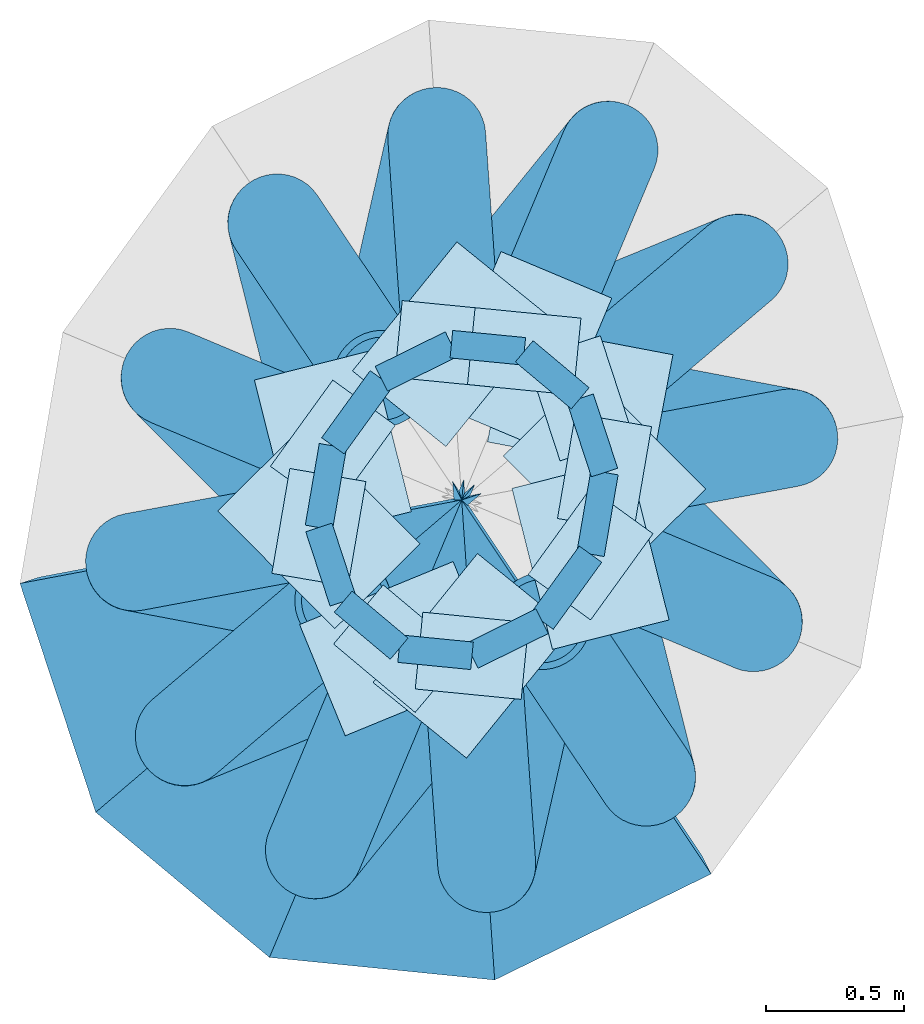
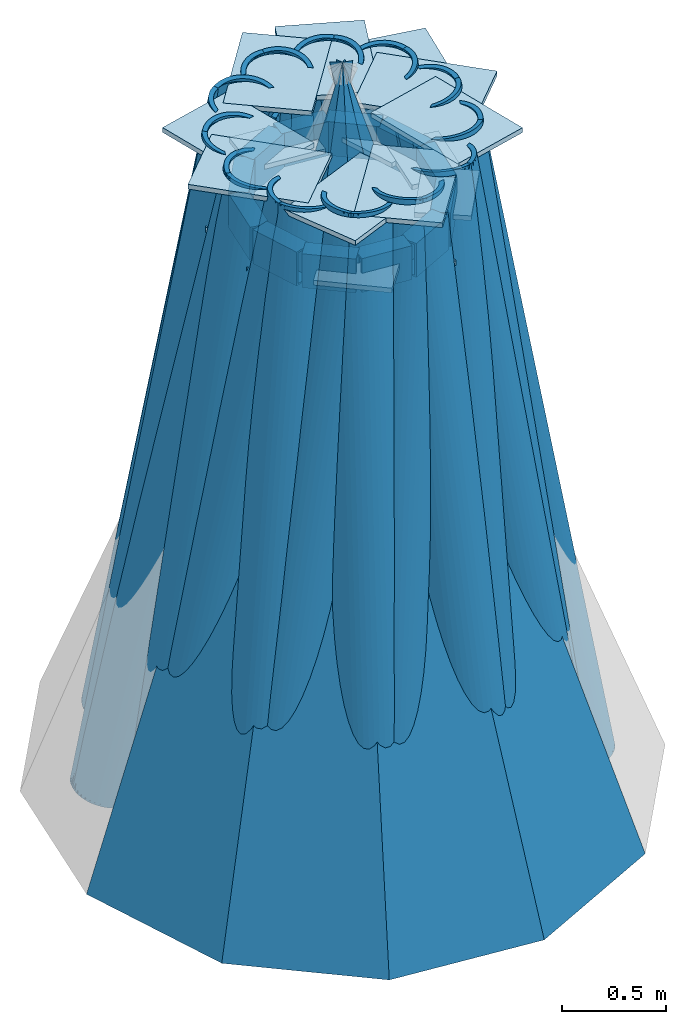
# One storey, part 1 of 2: 36 members, 18 plates, 4 roofs.
"""IFC4 building model written with IfcOpenShell, lengths in metres."""

from ifc_helpers import new_model, si_unit, direction, frame, origin, origin_2d, place, context, subcontext, project, spatial, polyline, rectangle, hollow_rectangle, hollow_circle, outline, extrude, material, layer, layer_set, material_profile, profile_set, type_object, element, save


model = new_model("IFC4")

# Units and contexts
model_context = context("Model", 3, precision=1e-05, world=origin(), true_north=direction((0.0, 1.0)))
body_context = subcontext(model_context, "Body", "Model", "MODEL_VIEW")
ifc_project = project(units=[si_unit("LENGTHUNIT", "METRE"), si_unit("AREAUNIT", "SQUARE_METRE"), si_unit("VOLUMEUNIT", "CUBIC_METRE"), si_unit("PLANEANGLEUNIT", "RADIAN"), si_unit("MASSUNIT", "GRAM", prefix="KILO")], contexts=[model_context])

# Site, building, storey
site_placement = place(None, origin())
site = spatial("IfcSite", under=ifc_project, at=site_placement, CompositionType="ELEMENT")
building_placement = place(site_placement, origin())
building = spatial("IfcBuilding", under=site, at=building_placement, Name="Veldorim Arch Residences", CompositionType="ELEMENT")
storey_placement = place(building_placement, frame((0.0, 0.0, 271.840087890625)))
storey = spatial("IfcBuildingStorey", under=building, at=storey_placement, Name="L80", CompositionType="ELEMENT", Elevation=271.840087890625)

# Members
ifc_material_1 = material(Name="Steel S460", Category="steel")
ifc_material_profile_1 = material_profile(ifc_material_1, hollow_circle(Radius=0.177734375, WallThickness=0.02490234375, at=origin_2d()), Name="CHS355.6x25")
ifc_profile_set_1 = profile_set([ifc_material_profile_1], Name="Steel S460")
member_type_1 = type_object("IfcMemberType", Name="Crown Diagrid CHS355.6x25", PredefinedType="STRUT", material=ifc_profile_set_1)
member_1_placement = place(storey_placement, frame((32.534912109375, 25.272216796875, 0.0), z_axis=(-0.080170149224, -0.190705854176, 0.978368041361), x_axis=(0.921854880185, -0.387535262756, 0.0)))
element("IfcMember", 1, at=member_1_placement, inside=storey, type_object=member_type_1, Name="L80 Crown Diagrid tapering rib 01", PredefinedType="STRUT", context=body_context, shape_type="SweptSolid", body=[
    extrude(hollow_circle(Radius=0.177734375, WallThickness=0.02490234375, at=origin_2d()), origin(), (0.0, 0.0, 1.0), 3.84326171875),
])
member_2_placement = place(storey_placement, frame((32.534912109375, 25.272216796875, 0.0), z_axis=(-0.147930766294, -0.182767704431, 0.971963196114), x_axis=(0.777294872086, -0.629136457241, 0.0)))
element("IfcMember", 2, at=member_2_placement, inside=storey, type_object=member_type_1, Name="L80 Crown Diagrid diagrid brace 01", PredefinedType="STRUT", context=body_context, shape_type="SweptSolid", body=[
    extrude(hollow_circle(Radius=0.177734375, WallThickness=0.02490234375, at=origin_2d()), origin(), (0.0, 0.0, 1.0), 3.868408203125),
])
member_3_placement = place(storey_placement, frame((31.9091796875, 25.322265625, 0.0), z_axis=(0.013938729282, -0.19736986074, 0.980229998469), x_axis=(0.997515529388, 0.07044692065, 0.0)))
element("IfcMember", 3, at=member_3_placement, inside=storey, type_object=member_type_1, Name="L80 Crown Diagrid tapering rib 02", PredefinedType="STRUT", context=body_context, shape_type="SweptSolid", body=[
    extrude(hollow_circle(Radius=0.177734375, WallThickness=0.02490234375, at=origin_2d()), origin(), (0.0, 0.0, 1.0), 3.8359375),
])
member_4_placement = place(storey_placement, frame((31.9091796875, 25.322265625, 0.0), z_axis=(-0.051890929295, -0.228206459128, 0.972228956301), x_axis=(0.975109002825, -0.221726030518, 0.0)))
element("IfcMember", 4, at=member_4_placement, inside=storey, type_object=member_type_1, Name="L80 Crown Diagrid diagrid brace 02", PredefinedType="STRUT", context=body_context, shape_type="SweptSolid", body=[
    extrude(hollow_circle(Radius=0.177734375, WallThickness=0.02490234375, at=origin_2d()), origin(), (0.0, 0.0, 1.0), 3.867431640625),
])
member_5_placement = place(storey_placement, frame((31.328369140625, 25.007080078125, 0.0), z_axis=(0.099469827951, -0.148470057905, 0.983901618676), x_axis=(0.830783202197, 0.556596147083, 0.0)))
element("IfcMember", 5, at=member_5_placement, inside=storey, type_object=member_type_1, Name="L80 Crown Diagrid tapering rib 03", PredefinedType="STRUT", context=body_context, shape_type="SweptSolid", body=[
    extrude(hollow_circle(Radius=0.177734375, WallThickness=0.02490234375, at=origin_2d()), origin(), (0.0, 0.0, 1.0), 3.821533203125),
])
member_6_placement = place(storey_placement, frame((31.328369140625, 25.007080078125, 0.0), z_axis=(0.05305190664, -0.210432891334, 0.976167758865), x_axis=(0.969659541803, 0.24445934834, 0.0)))
element("IfcMember", 6, at=member_6_placement, inside=storey, type_object=member_type_1, Name="L80 Crown Diagrid diagrid brace 03", PredefinedType="STRUT", context=body_context, shape_type="SweptSolid", body=[
    extrude(hollow_circle(Radius=0.177734375, WallThickness=0.02490234375, at=origin_2d()), origin(), (0.0, 0.0, 1.0), 3.851806640625),
])
member_7_placement = place(storey_placement, frame((30.93994140625, 24.445556640625, 0.0), z_axis=(0.155396531976, -0.065281903878, 0.985692746689), x_axis=(0.387309949626, 0.921949566365, 0.0)))
element("IfcMember", 7, at=member_7_placement, inside=storey, type_object=member_type_1, Name="L80 Crown Diagrid tapering rib 04", PredefinedType="STRUT", context=body_context, shape_type="SweptSolid", body=[
    extrude(hollow_circle(Radius=0.177734375, WallThickness=0.02490234375, at=origin_2d()), origin(), (0.0, 0.0, 1.0), 3.814697265625),
])
member_8_placement = place(storey_placement, frame((30.93994140625, 24.445556640625, 0.0), z_axis=(0.141225063045, -0.142052056658, 0.979732971154), x_axis=(0.709168072682, 0.705039463213, 0.0)))
element("IfcMember", 8, at=member_8_placement, inside=storey, type_object=member_type_1, Name="L80 Crown Diagrid diagrid brace 04", PredefinedType="STRUT", context=body_context, shape_type="SweptSolid", body=[
    extrude(hollow_circle(Radius=0.177734375, WallThickness=0.02490234375, at=origin_2d()), origin(), (0.0, 0.0, 1.0), 3.837890625),
])
member_9_placement = place(storey_placement, frame((30.810546875, 23.775146484375, 0.0), z_axis=(0.175685150302, 0.03277326622, 0.9839007272), x_axis=(-0.183381967414, 0.983041735649, 0.0)))
element("IfcMember", 9, at=member_9_placement, inside=storey, type_object=member_type_1, Name="L80 Crown Diagrid tapering rib 05", PredefinedType="STRUT", context=body_context, shape_type="SweptSolid", body=[
    extrude(hollow_circle(Radius=0.177734375, WallThickness=0.02490234375, at=origin_2d()), origin(), (0.0, 0.0, 1.0), 3.821533203125),
])
member_10_placement = place(storey_placement, frame((30.810546875, 23.775146484375, 0.0), z_axis=(0.197861205225, -0.03752430443, 0.979511546662), x_axis=(0.186328395197, 0.982487521113, 0.0)))
element("IfcMember", 10, at=member_10_placement, inside=storey, type_object=member_type_1, Name="L80 Crown Diagrid diagrid brace 05", PredefinedType="STRUT", context=body_context, shape_type="SweptSolid", body=[
    extrude(hollow_circle(Radius=0.177734375, WallThickness=0.02490234375, at=origin_2d()), origin(), (0.0, 0.0, 1.0), 3.838623046875),
])
member_11_placement = place(storey_placement, frame((30.99169921875, 23.139892578125, 0.0), z_axis=(0.15078131342, 0.128059097763, 0.980237656389), x_axis=(-0.647340169484, 0.762201223413, 0.0)))
element("IfcMember", 11, at=member_11_placement, inside=storey, type_object=member_type_1, Name="L80 Crown Diagrid tapering rib 06", PredefinedType="STRUT", context=body_context, shape_type="SweptSolid", body=[
    extrude(hollow_circle(Radius=0.177734375, WallThickness=0.02490234375, at=origin_2d()), origin(), (0.0, 0.0, 1.0), 3.835693359375),
])
member_12_placement = place(storey_placement, frame((30.99169921875, 23.139892578125, 0.0), z_axis=(0.202788444077, 0.083243991102, 0.97567785918), x_axis=(-0.379746629917, 0.925090534524, 0.0)))
element("IfcMember", 12, at=member_12_placement, inside=storey, type_object=member_type_1, Name="L80 Crown Diagrid diagrid brace 06", PredefinedType="STRUT", context=body_context, shape_type="SweptSolid", body=[
    extrude(hollow_circle(Radius=0.177734375, WallThickness=0.02490234375, at=origin_2d()), origin(), (0.0, 0.0, 1.0), 3.853759765625),
])
member_13_placement = place(storey_placement, frame((31.465087890625, 22.727783203125, 0.0), z_axis=(0.080170149224, 0.190705854176, 0.978368041361), x_axis=(-0.921854880185, 0.387535262756, 0.0)))
element("IfcMember", 13, at=member_13_placement, inside=storey, type_object=member_type_1, Name="L80 Crown Diagrid tapering rib 07", PredefinedType="STRUT", context=body_context, shape_type="SweptSolid", body=[
    extrude(hollow_circle(Radius=0.177734375, WallThickness=0.02490234375, at=origin_2d()), origin(), (0.0, 0.0, 1.0), 3.84326171875),
])
member_14_placement = place(storey_placement, frame((31.465087890625, 22.727783203125, 0.0), z_axis=(0.147930766294, 0.182767704431, 0.971963196114), x_axis=(-0.777294872086, 0.629136457241, 0.0)))
element("IfcMember", 14, at=member_14_placement, inside=storey, type_object=member_type_1, Name="L80 Crown Diagrid diagrid brace 07", PredefinedType="STRUT", context=body_context, shape_type="SweptSolid", body=[
    extrude(hollow_circle(Radius=0.177734375, WallThickness=0.02490234375, at=origin_2d()), origin(), (0.0, 0.0, 1.0), 3.868408203125),
])
member_15_placement = place(storey_placement, frame((32.0908203125, 22.677734375, 0.0), z_axis=(-0.013938729282, 0.19736986074, 0.980229998469), x_axis=(-0.997515529388, -0.07044692065, 0.0)))
element("IfcMember", 15, at=member_15_placement, inside=storey, type_object=member_type_1, Name="L80 Crown Diagrid tapering rib 08", PredefinedType="STRUT", context=body_context, shape_type="SweptSolid", body=[
    extrude(hollow_circle(Radius=0.177734375, WallThickness=0.02490234375, at=origin_2d()), origin(), (0.0, 0.0, 1.0), 3.8359375),
])
member_16_placement = place(storey_placement, frame((32.0908203125, 22.677734375, 0.0), z_axis=(0.051890929295, 0.228206459128, 0.972228956301), x_axis=(-0.975109002825, 0.221726030518, 0.0)))
element("IfcMember", 16, at=member_16_placement, inside=storey, type_object=member_type_1, Name="L80 Crown Diagrid diagrid brace 08", PredefinedType="STRUT", context=body_context, shape_type="SweptSolid", body=[
    extrude(hollow_circle(Radius=0.177734375, WallThickness=0.02490234375, at=origin_2d()), origin(), (0.0, 0.0, 1.0), 3.867431640625),
])
member_17_placement = place(storey_placement, frame((32.671630859375, 22.992919921875, 0.0), z_axis=(-0.099469827951, 0.148470057905, 0.983901618676), x_axis=(-0.830783202197, -0.556596147083, 0.0)))
element("IfcMember", 17, at=member_17_placement, inside=storey, type_object=member_type_1, Name="L80 Crown Diagrid tapering rib 09", PredefinedType="STRUT", context=body_context, shape_type="SweptSolid", body=[
    extrude(hollow_circle(Radius=0.177734375, WallThickness=0.02490234375, at=origin_2d()), origin(), (0.0, 0.0, 1.0), 3.821533203125),
])
member_18_placement = place(storey_placement, frame((32.671630859375, 22.992919921875, 0.0), z_axis=(-0.05305190664, 0.210432891334, 0.976167758865), x_axis=(-0.969659541803, -0.24445934834, 0.0)))
element("IfcMember", 18, at=member_18_placement, inside=storey, type_object=member_type_1, Name="L80 Crown Diagrid diagrid brace 09", PredefinedType="STRUT", context=body_context, shape_type="SweptSolid", body=[
    extrude(hollow_circle(Radius=0.177734375, WallThickness=0.02490234375, at=origin_2d()), origin(), (0.0, 0.0, 1.0), 3.851806640625),
])
member_19_placement = place(storey_placement, frame((33.06005859375, 23.554443359375, 0.0), z_axis=(-0.155396531976, 0.065281903878, 0.985692746689), x_axis=(-0.387309949626, -0.921949566365, 0.0)))
element("IfcMember", 19, at=member_19_placement, inside=storey, type_object=member_type_1, Name="L80 Crown Diagrid tapering rib 10", PredefinedType="STRUT", context=body_context, shape_type="SweptSolid", body=[
    extrude(hollow_circle(Radius=0.177734375, WallThickness=0.02490234375, at=origin_2d()), origin(), (0.0, 0.0, 1.0), 3.814697265625),
])
member_20_placement = place(storey_placement, frame((33.06005859375, 23.554443359375, 0.0), z_axis=(-0.141225063045, 0.142052056658, 0.979732971154), x_axis=(-0.709168072682, -0.705039463213, 0.0)))
element("IfcMember", 20, at=member_20_placement, inside=storey, type_object=member_type_1, Name="L80 Crown Diagrid diagrid brace 10", PredefinedType="STRUT", context=body_context, shape_type="SweptSolid", body=[
    extrude(hollow_circle(Radius=0.177734375, WallThickness=0.02490234375, at=origin_2d()), origin(), (0.0, 0.0, 1.0), 3.837890625),
])
member_21_placement = place(storey_placement, frame((33.189453125, 24.224853515625, 0.0), z_axis=(-0.175685150302, -0.03277326622, 0.9839007272), x_axis=(0.183381967414, -0.983041735649, 0.0)))
element("IfcMember", 21, at=member_21_placement, inside=storey, type_object=member_type_1, Name="L80 Crown Diagrid tapering rib 11", PredefinedType="STRUT", context=body_context, shape_type="SweptSolid", body=[
    extrude(hollow_circle(Radius=0.177734375, WallThickness=0.02490234375, at=origin_2d()), origin(), (0.0, 0.0, 1.0), 3.821533203125),
])
member_22_placement = place(storey_placement, frame((33.189453125, 24.224853515625, 0.0), z_axis=(-0.197861205225, 0.03752430443, 0.979511546662), x_axis=(-0.186328395197, -0.982487521113, 0.0)))
element("IfcMember", 22, at=member_22_placement, inside=storey, type_object=member_type_1, Name="L80 Crown Diagrid diagrid brace 11", PredefinedType="STRUT", context=body_context, shape_type="SweptSolid", body=[
    extrude(hollow_circle(Radius=0.177734375, WallThickness=0.02490234375, at=origin_2d()), origin(), (0.0, 0.0, 1.0), 3.838623046875),
])
member_23_placement = place(storey_placement, frame((33.00830078125, 24.860107421875, 0.0), z_axis=(-0.15078131342, -0.128059097763, 0.980237656389), x_axis=(0.647340169484, -0.762201223413, 0.0)))
element("IfcMember", 23, at=member_23_placement, inside=storey, type_object=member_type_1, Name="L80 Crown Diagrid tapering rib 12", PredefinedType="STRUT", context=body_context, shape_type="SweptSolid", body=[
    extrude(hollow_circle(Radius=0.177734375, WallThickness=0.02490234375, at=origin_2d()), origin(), (0.0, 0.0, 1.0), 3.835693359375),
])
member_24_placement = place(storey_placement, frame((33.00830078125, 24.860107421875, 0.0), z_axis=(-0.202788444077, -0.083243991102, 0.97567785918), x_axis=(0.379746629917, -0.925090534524, 0.0)))
element("IfcMember", 24, at=member_24_placement, inside=storey, type_object=member_type_1, Name="L80 Crown Diagrid diagrid brace 12", PredefinedType="STRUT", context=body_context, shape_type="SweptSolid", body=[
    extrude(hollow_circle(Radius=0.177734375, WallThickness=0.02490234375, at=origin_2d()), origin(), (0.0, 0.0, 1.0), 3.853759765625),
])
ifc_material_2 = material(Name="Steel S355", Category="steel")
ifc_material_profile_2 = material_profile(ifc_material_2, hollow_rectangle(XDim=0.10009765625, YDim=0.199951171875, WallThickness=0.010009765625, at=origin_2d()), Name="RHS200x100x10")
ifc_profile_set_2 = profile_set([ifc_material_profile_2], Name="Steel S355")
member_type_2 = type_object("IfcMemberType", Name="Truss Purlin RHS200x100x10", PredefinedType="PURLIN", material=ifc_profile_set_2)
member_25_placement = place(storey_placement, frame((32.226806640625, 24.539306640625, 3.33984375), z_axis=(-0.99523552797, 0.097499968544, 0.0), x_axis=(-0.097499968544, -0.99523552797, 0.0)))
element("IfcMember", 25, at=member_25_placement, inside=storey, type_object=member_type_2, Name="L80 crown ring purlin 01", PredefinedType="PURLIN", context=body_context, shape_type="SweptSolid", body=[
    extrude(hollow_rectangle(XDim=0.10009765625, YDim=0.199951171875, WallThickness=0.010009765625, at=origin_2d()), origin(), (0.0, 0.0, 1.0), 0.265380859375),
])
member_26_placement = place(storey_placement, frame((31.962646484375, 24.565185546875, 3.33984375), z_axis=(-0.896655461693, -0.442729017589, 0.0), x_axis=(0.442729017589, -0.896655461693, 0.0)))
element("IfcMember", 26, at=member_26_placement, inside=storey, type_object=member_type_2, Name="L80 crown ring purlin 02", PredefinedType="PURLIN", context=body_context, shape_type="SweptSolid", body=[
    extrude(hollow_rectangle(XDim=0.10009765625, YDim=0.199951171875, WallThickness=0.010009765625, at=origin_2d()), origin(), (0.0, 0.0, 1.0), 0.283447265625),
])
member_27_placement = place(storey_placement, frame((31.70849609375, 24.439697265625, 3.33984375), z_axis=(-0.585846996419, -0.810421678379, 0.0), x_axis=(0.810421678379, -0.585846996419, 0.0)))
element("IfcMember", 27, at=member_27_placement, inside=storey, type_object=member_type_2, Name="L80 crown ring purlin 03", PredefinedType="PURLIN", context=body_context, shape_type="SweptSolid", body=[
    extrude(hollow_rectangle(XDim=0.10009765625, YDim=0.199951171875, WallThickness=0.010009765625, at=origin_2d()), origin(), (0.0, 0.0, 1.0), 0.300048828125),
])
member_28_placement = place(storey_placement, frame((31.53271484375, 24.196533203125, 3.33984375), z_axis=(-0.169008920407, -0.985614521414, 0.0), x_axis=(0.985614521414, -0.169008920407, 0.0)))
element("IfcMember", 28, at=member_28_placement, inside=storey, type_object=member_type_2, Name="L80 crown ring purlin 04", PredefinedType="PURLIN", context=body_context, shape_type="SweptSolid", body=[
    extrude(hollow_rectangle(XDim=0.10009765625, YDim=0.199951171875, WallThickness=0.010009765625, at=origin_2d()), origin(), (0.0, 0.0, 1.0), 0.300537109375),
])
member_29_placement = place(storey_placement, frame((31.48193359375, 23.900390625, 3.33984375), z_axis=(0.311053210986, -0.950392497832, 0.0), x_axis=(0.950392497832, 0.311053210986, 0.0)))
element("IfcMember", 29, at=member_29_placement, inside=storey, type_object=member_type_2, Name="L80 crown ring purlin 05", PredefinedType="PURLIN", context=body_context, shape_type="SweptSolid", body=[
    extrude(hollow_rectangle(XDim=0.10009765625, YDim=0.199951171875, WallThickness=0.010009765625, at=origin_2d()), origin(), (0.0, 0.0, 1.0), 0.283447265625),
])
member_30_placement = place(storey_placement, frame((31.570068359375, 23.631103515625, 3.33984375), z_axis=(0.766103787381, -0.642716879318, 0.0), x_axis=(0.642716879318, 0.766103787381, 0.0)))
element("IfcMember", 30, at=member_30_placement, inside=storey, type_object=member_type_2, Name="L80 crown ring purlin 06", PredefinedType="PURLIN", context=body_context, shape_type="SweptSolid", body=[
    extrude(hollow_rectangle(XDim=0.10009765625, YDim=0.199951171875, WallThickness=0.010009765625, at=origin_2d()), origin(), (0.0, 0.0, 1.0), 0.26513671875),
])
member_31_placement = place(storey_placement, frame((31.773193359375, 23.460693359375, 3.33984375), z_axis=(0.99523552797, -0.097499968544, 0.0), x_axis=(0.097499968544, 0.99523552797, 0.0)))
element("IfcMember", 31, at=member_31_placement, inside=storey, type_object=member_type_2, Name="L80 crown ring purlin 07", PredefinedType="PURLIN", context=body_context, shape_type="SweptSolid", body=[
    extrude(hollow_rectangle(XDim=0.10009765625, YDim=0.199951171875, WallThickness=0.010009765625, at=origin_2d()), origin(), (0.0, 0.0, 1.0), 0.265380859375),
])
member_32_placement = place(storey_placement, frame((32.037353515625, 23.434814453125, 3.33984375), z_axis=(0.896655461693, 0.442729017589, 0.0), x_axis=(-0.442729017589, 0.896655461693, 0.0)))
element("IfcMember", 32, at=member_32_placement, inside=storey, type_object=member_type_2, Name="L80 crown ring purlin 08", PredefinedType="PURLIN", context=body_context, shape_type="SweptSolid", body=[
    extrude(hollow_rectangle(XDim=0.10009765625, YDim=0.199951171875, WallThickness=0.010009765625, at=origin_2d()), origin(), (0.0, 0.0, 1.0), 0.283447265625),
])
member_33_placement = place(storey_placement, frame((32.29150390625, 23.560302734375, 3.33984375), z_axis=(0.585846996419, 0.810421678379, 0.0), x_axis=(-0.810421678379, 0.585846996419, 0.0)))
element("IfcMember", 33, at=member_33_placement, inside=storey, type_object=member_type_2, Name="L80 crown ring purlin 09", PredefinedType="PURLIN", context=body_context, shape_type="SweptSolid", body=[
    extrude(hollow_rectangle(XDim=0.10009765625, YDim=0.199951171875, WallThickness=0.010009765625, at=origin_2d()), origin(), (0.0, 0.0, 1.0), 0.300048828125),
])
member_34_placement = place(storey_placement, frame((32.46728515625, 23.803466796875, 3.33984375), z_axis=(0.169008920407, 0.985614521414, 0.0), x_axis=(-0.985614521414, 0.169008920407, 0.0)))
element("IfcMember", 34, at=member_34_placement, inside=storey, type_object=member_type_2, Name="L80 crown ring purlin 10", PredefinedType="PURLIN", context=body_context, shape_type="SweptSolid", body=[
    extrude(hollow_rectangle(XDim=0.10009765625, YDim=0.199951171875, WallThickness=0.010009765625, at=origin_2d()), origin(), (0.0, 0.0, 1.0), 0.300537109375),
])
member_35_placement = place(storey_placement, frame((32.51806640625, 24.099609375, 3.33984375), z_axis=(-0.311053210986, 0.950392497832, 0.0), x_axis=(-0.950392497832, -0.311053210986, 0.0)))
element("IfcMember", 35, at=member_35_placement, inside=storey, type_object=member_type_2, Name="L80 crown ring purlin 11", PredefinedType="PURLIN", context=body_context, shape_type="SweptSolid", body=[
    extrude(hollow_rectangle(XDim=0.10009765625, YDim=0.199951171875, WallThickness=0.010009765625, at=origin_2d()), origin(), (0.0, 0.0, 1.0), 0.283447265625),
])
member_36_placement = place(storey_placement, frame((32.429931640625, 24.368896484375, 3.33984375), z_axis=(-0.766103787381, 0.642716879318, 0.0), x_axis=(-0.642716879318, -0.766103787381, 0.0)))
element("IfcMember", 36, at=member_36_placement, inside=storey, type_object=member_type_2, Name="L80 crown ring purlin 12", PredefinedType="PURLIN", context=body_context, shape_type="SweptSolid", body=[
    extrude(hollow_rectangle(XDim=0.10009765625, YDim=0.199951171875, WallThickness=0.010009765625, at=origin_2d()), origin(), (0.0, 0.0, 1.0), 0.26513671875),
])

# Plates
ifc_material_3 = material(Name="Steel S460", Category="steel")
ifc_layer_1 = layer(ifc_material_3, 0.028076171875, Name="Welded Crown Rib End-Cap Gusset Plate 28")
ifc_layer_set_1 = layer_set([ifc_layer_1], Name="Steel S460")
plate_type = type_object("IfcPlateType", Name="Welded Crown Rib End-Cap Gusset Plate 28", PredefinedType="USERDEFINED", material=ifc_layer_set_1)
for number, where, z_axis, x_axis, name in (
    (37, (32.226806640625, 24.539306640625, 3.74609375), (0.0, 0.0, 1.0), (-0.38753167594, -0.921856388025, 0.0), "L80 Crown Diagrid tapering rib 01 welded joint gusset plate 2"),
    (38, (31.962646484375, 24.565185546875, 3.74609375), (0.0, 0.0, 1.0), (-0.629157612179, -0.777277748966, 0.0), "L80 Crown Diagrid diagrid brace 01 welded joint gusset plate 2"),
):
    element("IfcPlate", number, at=place(storey_placement, frame(where, z_axis=z_axis, x_axis=x_axis)), inside=storey, type_object=plate_type, Name=name, ObjectType="GUSSET PLATE", PredefinedType="USERDEFINED", context=body_context, shape_type="SweptSolid", body=[
        extrude(rectangle(XDim=0.60205078125, YDim=0.43603515625, at=origin_2d()), origin(), (0.0, 0.0, 1.0), 0.028076171875),
    ])
for number, where, z_axis, x_axis, name in (
    (39, (32.226806640625, 24.539306640625, 3.32568359375), (0.0, 0.0, 1.0), (-0.99518814751, 0.09798240177, 0.0), "L80 crown ring purlin 01 welded joint gusset plate 1"),
    (40, (31.962646484375, 24.565185546875, 3.32568359375), (0.0, 0.0, 1.0), (-0.99518814751, 0.09798240177, 0.0), "L80 crown ring purlin 01 welded joint gusset plate 2"),
):
    element("IfcPlate", number, at=place(storey_placement, frame(where, z_axis=z_axis, x_axis=x_axis)), inside=storey, type_object=plate_type, Name=name, ObjectType="GUSSET PLATE", PredefinedType="USERDEFINED", context=body_context, shape_type="SweptSolid", body=[
        extrude(rectangle(XDim=0.385986328125, YDim=0.280029296875, at=origin_2d()), origin(), (0.0, 0.0, 1.0), 0.028076171875),
    ])
plate_1_placement = place(storey_placement, frame((31.53271484375, 24.196533203125, 3.74609375), z_axis=(0.0, 0.0, 1.0), x_axis=(0.244359748118, -0.969684646419, 0.0)))
element("IfcPlate", 41, at=plate_1_placement, inside=storey, type_object=plate_type, Name="L80 Crown Diagrid diagrid brace 03 welded joint gusset plate 2", ObjectType="GUSSET PLATE", PredefinedType="USERDEFINED", context=body_context, shape_type="SweptSolid", body=[
    extrude(rectangle(XDim=0.60205078125, YDim=0.43603515625, at=origin_2d()), origin(), (0.0, 0.0, 1.0), 0.028076171875),
])
plate_2_placement = place(storey_placement, frame((31.53271484375, 24.196533203125, 3.32568359375), z_axis=(0.0, 0.0, 1.0), x_axis=(-0.58610370452, -0.81023604434, 0.0)))
element("IfcPlate", 42, at=plate_2_placement, inside=storey, type_object=plate_type, Name="L80 crown ring purlin 03 welded joint gusset plate 2", ObjectType="GUSSET PLATE", PredefinedType="USERDEFINED", context=body_context, shape_type="SweptSolid", body=[
    extrude(rectangle(XDim=0.385986328125, YDim=0.280029296875, at=origin_2d()), origin(), (0.0, 0.0, 1.0), 0.028076171875),
])
plate_3_placement = place(storey_placement, frame((31.48193359375, 23.900390625, 3.74609375), z_axis=(0.0, 0.0, 1.0), x_axis=(0.705092283796, -0.709115555697, 0.0)))
element("IfcPlate", 43, at=plate_3_placement, inside=storey, type_object=plate_type, Name="L80 Crown Diagrid diagrid brace 04 welded joint gusset plate 2", ObjectType="GUSSET PLATE", PredefinedType="USERDEFINED", context=body_context, shape_type="SweptSolid", body=[
    extrude(rectangle(XDim=0.60205078125, YDim=0.43603515625, at=origin_2d()), origin(), (0.0, 0.0, 1.0), 0.028076171875),
])
plate_4_placement = place(storey_placement, frame((31.48193359375, 23.900390625, 3.32568359375), z_axis=(0.0, 0.0, 1.0), x_axis=(-0.168833444713, -0.985644595149, 0.0)))
element("IfcPlate", 44, at=plate_4_placement, inside=storey, type_object=plate_type, Name="L80 crown ring purlin 04 welded joint gusset plate 2", ObjectType="GUSSET PLATE", PredefinedType="USERDEFINED", context=body_context, shape_type="SweptSolid", body=[
    extrude(rectangle(XDim=0.385986328125, YDim=0.280029296875, at=origin_2d()), origin(), (0.0, 0.0, 1.0), 0.028076171875),
])
plate_5_placement = place(storey_placement, frame((31.773193359375, 23.460693359375, 3.74609375), z_axis=(0.0, 0.0, 1.0), x_axis=(0.925050690998, 0.379843677169, 0.0)))
element("IfcPlate", 45, at=plate_5_placement, inside=storey, type_object=plate_type, Name="L80 Crown Diagrid diagrid brace 06 welded joint gusset plate 2", ObjectType="GUSSET PLATE", PredefinedType="USERDEFINED", context=body_context, shape_type="SweptSolid", body=[
    extrude(rectangle(XDim=0.60205078125, YDim=0.43603515625, at=origin_2d()), origin(), (0.0, 0.0, 1.0), 0.028076171875),
])
plate_6_placement = place(storey_placement, frame((31.773193359375, 23.460693359375, 3.32568359375), z_axis=(0.0, 0.0, 1.0), x_axis=(0.766212698268, -0.642587037695, 0.0)))
element("IfcPlate", 46, at=plate_6_placement, inside=storey, type_object=plate_type, Name="L80 crown ring purlin 06 welded joint gusset plate 2", ObjectType="GUSSET PLATE", PredefinedType="USERDEFINED", context=body_context, shape_type="SweptSolid", body=[
    extrude(rectangle(XDim=0.385986328125, YDim=0.280029296875, at=origin_2d()), origin(), (0.0, 0.0, 1.0), 0.028076171875),
])
plate_7_placement = place(storey_placement, frame((32.037353515625, 23.434814453125, 3.74609375), z_axis=(0.0, 0.0, 1.0), x_axis=(0.629157612179, 0.777277748966, 0.0)))
element("IfcPlate", 47, at=plate_7_placement, inside=storey, type_object=plate_type, Name="L80 Crown Diagrid diagrid brace 07 welded joint gusset plate 2", ObjectType="GUSSET PLATE", PredefinedType="USERDEFINED", context=body_context, shape_type="SweptSolid", body=[
    extrude(rectangle(XDim=0.60205078125, YDim=0.43603515625, at=origin_2d()), origin(), (0.0, 0.0, 1.0), 0.028076171875),
])
plate_8_placement = place(storey_placement, frame((32.037353515625, 23.434814453125, 3.32568359375), z_axis=(0.0, 0.0, 1.0), x_axis=(0.99518814751, -0.09798240177, 0.0)))
element("IfcPlate", 48, at=plate_8_placement, inside=storey, type_object=plate_type, Name="L80 crown ring purlin 07 welded joint gusset plate 2", ObjectType="GUSSET PLATE", PredefinedType="USERDEFINED", context=body_context, shape_type="SweptSolid", body=[
    extrude(rectangle(XDim=0.385986328125, YDim=0.280029296875, at=origin_2d()), origin(), (0.0, 0.0, 1.0), 0.028076171875),
])
plate_9_placement = place(storey_placement, frame((32.46728515625, 23.803466796875, 3.74609375), z_axis=(0.0, 0.0, 1.0), x_axis=(-0.244359748118, 0.969684646419, 0.0)))
element("IfcPlate", 49, at=plate_9_placement, inside=storey, type_object=plate_type, Name="L80 Crown Diagrid diagrid brace 09 welded joint gusset plate 2", ObjectType="GUSSET PLATE", PredefinedType="USERDEFINED", context=body_context, shape_type="SweptSolid", body=[
    extrude(rectangle(XDim=0.60205078125, YDim=0.43603515625, at=origin_2d()), origin(), (0.0, 0.0, 1.0), 0.028076171875),
])
plate_10_placement = place(storey_placement, frame((32.46728515625, 23.803466796875, 3.32568359375), z_axis=(0.0, 0.0, 1.0), x_axis=(0.58610370452, 0.81023604434, 0.0)))
element("IfcPlate", 50, at=plate_10_placement, inside=storey, type_object=plate_type, Name="L80 crown ring purlin 09 welded joint gusset plate 2", ObjectType="GUSSET PLATE", PredefinedType="USERDEFINED", context=body_context, shape_type="SweptSolid", body=[
    extrude(rectangle(XDim=0.385986328125, YDim=0.280029296875, at=origin_2d()), origin(), (0.0, 0.0, 1.0), 0.028076171875),
])
plate_11_placement = place(storey_placement, frame((32.51806640625, 24.099609375, 3.74609375), z_axis=(0.0, 0.0, 1.0), x_axis=(-0.705092283796, 0.709115555697, 0.0)))
element("IfcPlate", 51, at=plate_11_placement, inside=storey, type_object=plate_type, Name="L80 Crown Diagrid diagrid brace 10 welded joint gusset plate 2", ObjectType="GUSSET PLATE", PredefinedType="USERDEFINED", context=body_context, shape_type="SweptSolid", body=[
    extrude(rectangle(XDim=0.60205078125, YDim=0.43603515625, at=origin_2d()), origin(), (0.0, 0.0, 1.0), 0.028076171875),
])
plate_12_placement = place(storey_placement, frame((32.51806640625, 24.099609375, 3.32568359375), z_axis=(0.0, 0.0, 1.0), x_axis=(0.168833444713, 0.985644595149, 0.0)))
element("IfcPlate", 52, at=plate_12_placement, inside=storey, type_object=plate_type, Name="L80 crown ring purlin 10 welded joint gusset plate 2", ObjectType="GUSSET PLATE", PredefinedType="USERDEFINED", context=body_context, shape_type="SweptSolid", body=[
    extrude(rectangle(XDim=0.385986328125, YDim=0.280029296875, at=origin_2d()), origin(), (0.0, 0.0, 1.0), 0.028076171875),
])
plate_13_placement = place(storey_placement, frame((32.429931640625, 24.368896484375, 3.74609375), z_axis=(0.0, 0.0, 1.0), x_axis=(-0.982495944816, 0.186283972524, 0.0)))
element("IfcPlate", 53, at=plate_13_placement, inside=storey, type_object=plate_type, Name="L80 Crown Diagrid diagrid brace 11 welded joint gusset plate 2", ObjectType="GUSSET PLATE", PredefinedType="USERDEFINED", context=body_context, shape_type="SweptSolid", body=[
    extrude(rectangle(XDim=0.60205078125, YDim=0.43603515625, at=origin_2d()), origin(), (0.0, 0.0, 1.0), 0.028076171875),
])
plate_14_placement = place(storey_placement, frame((32.429931640625, 24.368896484375, 3.32568359375), z_axis=(0.0, 0.0, 1.0), x_axis=(-0.310925263418, 0.950434364156, 0.0)))
element("IfcPlate", 54, at=plate_14_placement, inside=storey, type_object=plate_type, Name="L80 crown ring purlin 11 welded joint gusset plate 2", ObjectType="GUSSET PLATE", PredefinedType="USERDEFINED", context=body_context, shape_type="SweptSolid", body=[
    extrude(rectangle(XDim=0.385986328125, YDim=0.280029296875, at=origin_2d()), origin(), (0.0, 0.0, 1.0), 0.028076171875),
])

# Roofs
ifc_material_4 = material(Name="Laminated Low-E Glass", Category="glass")
ifc_layer_2 = layer(ifc_material_4, 0.080078125, Name="Glass-Point Crown Laminated Double-Glazed Roof Facet")
ifc_layer_set_2 = layer_set([ifc_layer_2], Name="Laminated Low-E Glass")
roof_type = type_object("IfcRoofType", Name="Glass-Point Crown Laminated Double-Glazed Roof Facet", PredefinedType="PAVILION_ROOF", material=ifc_layer_set_2)
roof_1_placement = place(storey_placement, frame((30.397705078125, 23.697265625, 0.0), z_axis=(-0.884930561354, -0.29280790633, 0.362162161982), x_axis=(0.314132777005, -0.949379059392, 0.0)))
element("IfcRoof", 55, at=roof_1_placement, inside=storey, type_object=roof_type, Name="L80 glass-point crown apex facet 09", PredefinedType="PAVILION_ROOF", context=body_context, shape_type="SweptSolid", body=[
    extrude(outline(polyline([(0.0, 0.0), (0.874337933608836, 1.3877787807814457e-17), (0.21592367720592848, 4.462873832164616), (0.0, 0.0)])), origin(), (0.0, 0.0, -1.0), 0.080078125),
])
roof_2_placement = place(storey_placement, frame((30.67236328125, 22.8671875, 0.0), z_axis=(-0.592577890534, -0.709060517139, 0.382210186528), x_axis=(0.767318884731, -0.641265724279, 0.0)))
element("IfcRoof", 56, at=roof_2_placement, inside=storey, type_object=roof_type, Name="L80 glass-point crown apex facet 11", PredefinedType="PAVILION_ROOF", context=body_context, shape_type="SweptSolid", body=[
    extrude(outline(polyline([(0.0, 0.0), (0.8212061056544651, 2.7755575615628914e-17), (0.29228689807404307, 4.501701960821988), (0.0, 0.0)])), origin(), (0.0, 0.0, -1.0), 0.080078125),
])
roof_3_placement = place(storey_placement, frame((31.302490234375, 22.340576171875, 0.0), z_axis=(-0.092030197096, -0.91947781994, 0.382218499632), x_axis=(0.995028355907, -0.099592022477, 0.0)))
element("IfcRoof", 57, at=roof_3_placement, inside=storey, type_object=roof_type, Name="L80 glass-point crown apex facet 13", PredefinedType="PAVILION_ROOF", context=body_context, shape_type="SweptSolid", body=[
    extrude(outline(polyline([(0.0, 0.0), (0.8212214928589955, 0.0), (0.5287766201302703, 4.501718711583349), (0.0, 0.0)])), origin(), (0.0, 0.0, -1.0), 0.080078125),
])
roof_4_placement = place(storey_placement, frame((32.11962890625, 22.2587890625, 0.0), z_axis=(0.409965746497, -0.837111009991, 0.362178469337), x_axis=(0.898082968709, 0.439826080758, 0.0)))
element("IfcRoof", 58, at=roof_4_placement, inside=storey, type_object=roof_type, Name="L80 glass-point crown apex facet 15", PredefinedType="PAVILION_ROOF", context=body_context, shape_type="SweptSolid", body=[
    extrude(outline(polyline([(0.0, 0.0), (0.874258033340281, 0.0), (0.6583932991446647, 4.462904169422235), (0.0, 0.0)])), origin(), (0.0, 0.0, -1.0), 0.080078125),
])

save(model, "model.ifc")
